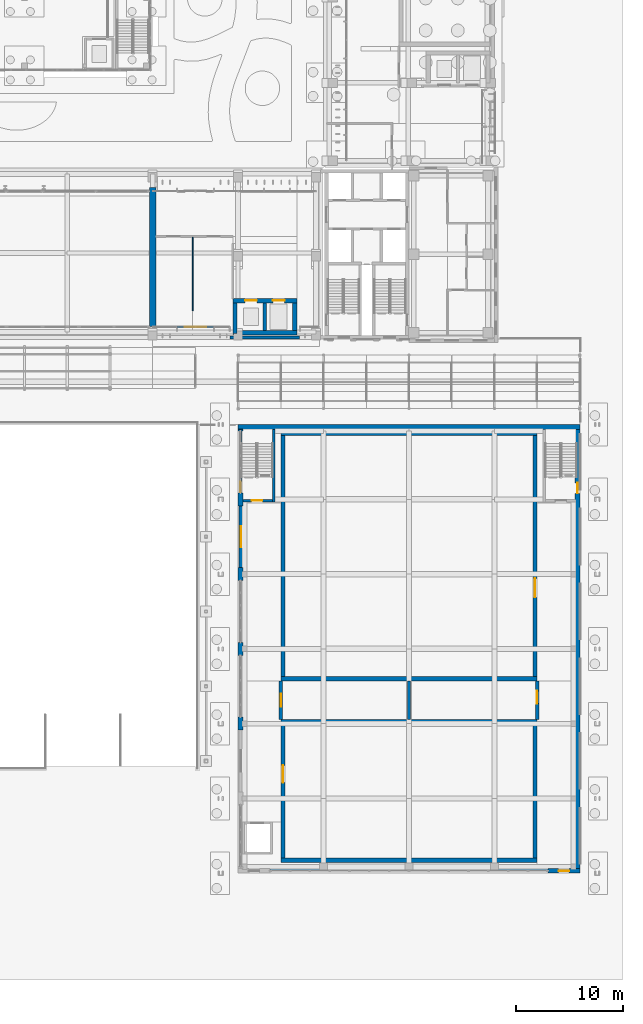
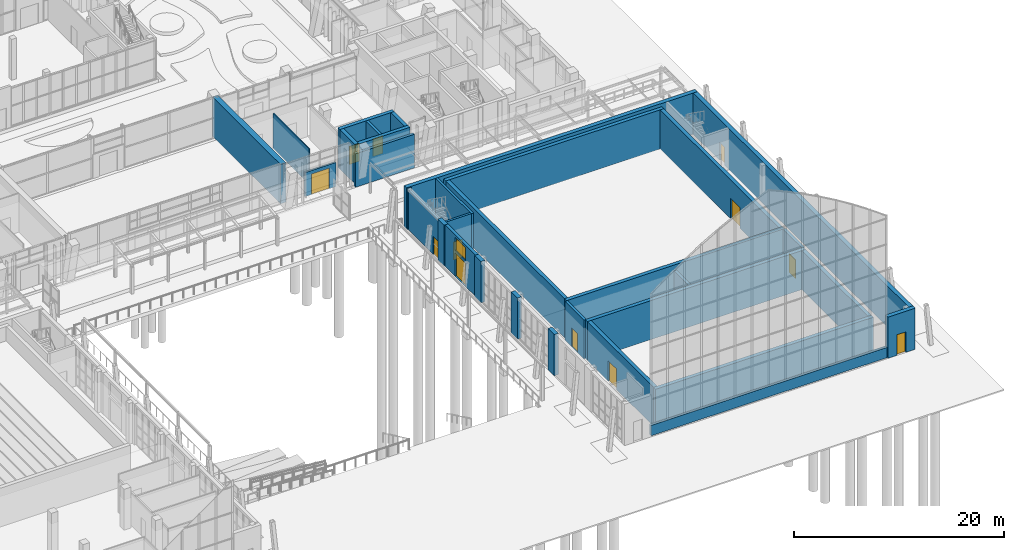
# One storey, part 105 of 144: 33 walls, 12 doors, 1 window, 13 openings.
"""IFC4 building model written with IfcOpenShell, lengths in metres."""

from ifc_helpers import new_model, si_unit, direction, frame, frame_2d, origin, place, context, subcontext, project, spatial, rectangle, extrude, material, layer, layer_set, type_object, element, fill, save


model = new_model("IFC4")

# Units and contexts
model_context = context("Model", 3, precision=1e-05, world=origin(), true_north=direction((0.0, 1.0)))
body_context = subcontext(model_context, "Body", "Model", "MODEL_VIEW")
ifc_project = project(units=[si_unit("LENGTHUNIT", "METRE"), si_unit("AREAUNIT", "SQUARE_METRE"), si_unit("VOLUMEUNIT", "CUBIC_METRE"), si_unit("PLANEANGLEUNIT", "RADIAN"), si_unit("MASSUNIT", "GRAM", prefix="KILO")], contexts=[model_context])

# Site, building, storey
site_placement = place(None, origin())
site = spatial("IfcSite", under=ifc_project, at=site_placement, CompositionType="ELEMENT")
building_placement = place(site_placement, origin())
building = spatial("IfcBuilding", under=site, at=building_placement, Name="Lantern Court Media Centre", CompositionType="ELEMENT")
storey_placement = place(building_placement, origin())
storey = spatial("IfcBuildingStorey", under=building, at=storey_placement, Name="L00", CompositionType="ELEMENT", Elevation=0.0)

# Wall, opening, door
ifc_material_1 = material(Name="Insulated rendered blockwork", Category="masonry")
ifc_layer_1 = layer(ifc_material_1, 0.199951171875)
ifc_layer_set_1 = layer_set([ifc_layer_1], Name="Insulated rendered blockwork")
wall_type_1 = type_object("IfcWallType", Name="Entrance bay infill wall 200", PredefinedType="SOLIDWALL", material=ifc_layer_set_1)
wall_1_placement = place(storey_placement, frame((66.300048828125, 49.14990234375, 0.0), z_axis=(0.0, 0.0, 1.0), x_axis=(1.0, 0.0, 0.0)))
wall_1 = element("IfcWall", 1, at=wall_1_placement, inside=storey, type_object=wall_type_1, Name="Entrance bay wall S outer L00", PredefinedType="SOLIDWALL", context=body_context, shape_type="SweptSolid", body=[
    extrude(rectangle(XDim=3.39990234375, YDim=0.199951171875, at=frame_2d((1.699951171875, 0.0))), origin(), (0.0, 0.0, 1.0), 2.800048828125),
])
opening_1_placement = place(wall_1_placement, frame((0.699951171875, 0.0, 0.0)))
opening_1 = element("IfcOpeningElement", 2, at=opening_1_placement, cuts=wall_1, Name="Opening XD02", PredefinedType="OPENING", context=body_context, shape_type="SweptSolid", body=[
    extrude(rectangle(XDim=2.0, YDim=2.39990234375, at=frame_2d((1.0, 1.199951171875))), frame((0.0, 0.10986328125, 0.0), z_axis=(0.0, -1.0, 0.0), x_axis=(1.0, 0.0, 0.0)), (0.0, 0.0, 1.0), 0.219970703125),
])
ifc_material_2 = material(Name="Anodised aluminium and glass", Category="aluminium")
door_type_1 = type_object("IfcDoorType", Name="Entrance double door 2000x2400", OperationType="DOUBLE_DOOR_SINGLE_SWING", PredefinedType="DOOR", material=ifc_material_2)
door_1_placement = place(opening_1_placement, origin())
door_1 = element("IfcDoor", 3, at=door_1_placement, inside=storey, type_object=door_type_1, Name="Entrance door XD02", OperationType="SINGLE_SWING_LEFT", OverallHeight=2.39990234375, OverallWidth=2.0, PredefinedType="DOOR", context=body_context, shape_type="SweptSolid", body=[
    extrude(rectangle(XDim=2.0, YDim=2.39990234375, at=frame_2d((1.0, 1.199951171875))), frame((0.0, 0.02490234375, 0.0), z_axis=(0.0, -1.0, 0.0), x_axis=(1.0, 0.0, 0.0)), (0.0, 0.0, 1.0), 0.050048828125),
])
fill(opening_1, door_1)

# Wall, openings, door, window
ifc_material_3 = material(Name="Limestone masonry, insulated", Category="masonry")
ifc_layer_2 = layer(ifc_material_3, 0.35009765625)
ifc_layer_set_2 = layer_set([ifc_layer_2], Name="Limestone masonry, insulated")
wall_type_2 = type_object("IfcWallType", Name="Hall entrance portal wall, stone-faced masonry 350", PredefinedType="SOLIDWALL", material=ifc_layer_set_2)
wall_2_placement = place(storey_placement, frame((72.27490234375, 26.60009765625, 0.0), z_axis=(0.0, 0.0, 1.0), x_axis=(0.0, 1.0, 0.0)))
wall_2 = element("IfcWall", 4, at=wall_2_placement, inside=storey, type_object=wall_type_2, Name="Studio Hall entrance bay 5", PredefinedType="SOLIDWALL", context=body_context, shape_type="SweptSolid", body=[
    extrude(rectangle(XDim=5.7998046875, YDim=0.35009765625, at=frame_2d((2.89990234375, 0.0))), origin(), (0.0, 0.0, 1.0), 4.800048828125),
])
opening_2_placement = place(wall_2_placement, frame((1.89990234375, 0.0, 0.0)))
opening_2 = element("IfcOpeningElement", 5, at=opening_2_placement, cuts=wall_2, Name="Opening D-V202", PredefinedType="OPENING", context=body_context, shape_type="SweptSolid", body=[
    extrude(rectangle(XDim=2.0, YDim=2.699951171875, at=frame_2d((1.0, 1.35009765625))), frame((0.0, 0.18505859375, 0.0), z_axis=(0.0, -1.0, 0.0), x_axis=(1.0, 0.0, 0.0)), (0.0, 0.0, 1.0), 0.3701171875),
])
opening_3_placement = place(wall_2_placement, frame((1.89990234375, 0.0, 3.0)))
opening_3 = element("IfcOpeningElement", 6, at=opening_3_placement, cuts=wall_2, Name="Opening HWN4", PredefinedType="OPENING", context=body_context, shape_type="SweptSolid", body=[
    extrude(rectangle(XDim=2.0, YDim=1.5, at=frame_2d((1.0, 0.75))), frame((0.0, 0.18505859375, 0.0), z_axis=(0.0, -1.0, 0.0), x_axis=(1.0, 0.0, 0.0)), (0.0, 0.0, 1.0), 0.3701171875),
])
ifc_material_4 = material(Name="Aluminium and laminated glass", Category="aluminium")
door_type_2 = type_object("IfcDoorType", Name="Studio hall entrance door, double leaf", OperationType="DOUBLE_DOOR_DOUBLE_SWING", PredefinedType="DOOR", material=ifc_material_4)
door_2_placement = place(opening_2_placement, origin())
door_2 = element("IfcDoor", 7, at=door_2_placement, inside=storey, type_object=door_type_2, Name="Studio Hall entrance 2", OperationType="SINGLE_SWING_LEFT", OverallHeight=2.699951171875, OverallWidth=2.0, PredefinedType="DOOR", context=body_context, shape_type="SweptSolid", body=[
    extrude(rectangle(XDim=2.0, YDim=2.699951171875, at=frame_2d((1.0, 1.35009765625))), frame((0.0, 0.02490234375, 0.0), z_axis=(0.0, -1.0, 0.0), x_axis=(1.0, 0.0, 0.0)), (0.0, 0.0, 1.0), 0.050048828125),
])
fill(opening_2, door_2)
ifc_material_5 = material(Name="Aluminium and acoustic laminated glass", Category="aluminium")
window_type = type_object("IfcWindowType", Name="Studio hall entrance fanlight 2000 x 1500", PartitioningType="SINGLE_PANEL", PredefinedType="WINDOW", material=ifc_material_5)
window_placement = place(opening_3_placement, origin())
window = element("IfcWindow", 8, at=window_placement, inside=storey, type_object=window_type, Name="Studio Hall entrance fanlight 5", OverallHeight=1.5, OverallWidth=2.0, PartitioningType="SINGLE_PANEL", PredefinedType="WINDOW", context=body_context, shape_type="SweptSolid", body=[
    extrude(rectangle(XDim=2.0, YDim=1.5, at=frame_2d((1.0, 0.75))), frame((0.0, 0.030029296875, 0.0), z_axis=(0.0, -1.0, 0.0), x_axis=(1.0, 0.0, 0.0)), (0.0, 0.0, 1.0), 0.06005859375),
])
fill(opening_3, window)

# Walls
ifc_layer_3 = layer(ifc_material_3, 0.300048828125)
ifc_layer_set_3 = layer_set([ifc_layer_3], Name="Limestone masonry, insulated")
wall_type_3 = type_object("IfcWallType", Name="Hall lancet plinth wall, stone-faced masonry 300", PredefinedType="SOLIDWALL", material=ifc_layer_set_3)
wall_3_placement = place(storey_placement, frame((75.0, -1.699951171875, 0.0), z_axis=(0.0, 0.0, 1.0), x_axis=(1.0, 0.0, 0.0)))
element("IfcWall", 9, at=wall_3_placement, inside=storey, type_object=wall_type_3, Name="Studio Hall lancet window plinth", PredefinedType="SOLIDWALL", context=body_context, shape_type="SweptSolid", body=[
    extrude(rectangle(XDim=26.0, YDim=0.300048828125, at=frame_2d((13.0, 0.0))), origin(), (0.0, 0.0, 1.0), 1.199951171875),
])
ifc_layer_4 = layer(ifc_material_3, 0.449951171875)
ifc_layer_set_4 = layer_set([ifc_layer_4], Name="Limestone masonry, insulated")
wall_type_4 = type_object("IfcWallType", Name="Hall wall, stone-faced masonry 450", PredefinedType="SOLIDWALL", material=ifc_layer_set_4)
for number, where, z_axis, x_axis, name in (
    (10, (72.22509765625, 11.39990234375, 0.0), (0.0, 0.0, 1.0), (0.0, 1.0, 0.0), "Studio Hall forecourt pier 3"),
    (11, (72.22509765625, 18.39990234375, 0.0), (0.0, 0.0, 1.0), (0.0, 1.0, 0.0), "Studio Hall forecourt pier 4"),
    (12, (72.22509765625, 25.39990234375, 0.0), (0.0, 0.0, 1.0), (0.0, 1.0, 0.0), "Studio Hall forecourt pier 5"),
    (13, (72.22509765625, 32.39990234375, 0.0), (0.0, 0.0, 1.0), (0.0, 1.0, 0.0), "Studio Hall forecourt pier 6"),
):
    element("IfcWall", number, at=place(storey_placement, frame(where, z_axis=z_axis, x_axis=x_axis)), inside=storey, type_object=wall_type_4, Name=name, PredefinedType="SOLIDWALL", context=body_context, shape_type="SweptSolid", body=[
        extrude(rectangle(XDim=1.2001953125, YDim=0.449951171875, at=frame_2d((0.60009765625, 0.0))), origin(), (0.0, 0.0, 1.0), 4.800048828125),
    ])
wall_4_placement = place(storey_placement, frame((72.22509765625, 39.39990234375, 0.0), z_axis=(0.0, 0.0, 1.0), x_axis=(0.0, 1.0, 0.0)))
element("IfcWall", 14, at=wall_4_placement, inside=storey, type_object=wall_type_4, Name="Studio Hall forecourt pier 7", PredefinedType="SOLIDWALL", context=body_context, shape_type="SweptSolid", body=[
    extrude(rectangle(XDim=0.150146484375, YDim=0.449951171875, at=frame_2d((0.0751953125, 0.0))), origin(), (0.0, 0.0, 1.0), 4.800048828125),
])

# Wall, opening, door
wall_5_placement = place(storey_placement, frame((103.77490234375, -1.550048828125, 0.0), z_axis=(0.0, 0.0, 1.0), x_axis=(0.0, 1.0, 0.0)))
wall_5 = element("IfcWall", 15, at=wall_5_placement, inside=storey, type_object=wall_type_4, Name="Studio Hall street wall L00", PredefinedType="SOLIDWALL", context=body_context, shape_type="SweptSolid", body=[
    extrude(rectangle(XDim=41.10009765625, YDim=0.449951171875, at=frame_2d((20.550048828125, 0.0))), origin(), (0.0, 0.0, 1.0), 4.800048828125),
])
opening_4_placement = place(wall_5_placement, frame((35.10009765625, 0.0, 0.0)))
opening_4 = element("IfcOpeningElement", 16, at=opening_4_placement, cuts=wall_5, Name="Opening V2-ST-E-L00-02E", PredefinedType="OPENING", context=body_context, shape_type="SweptSolid", body=[
    extrude(rectangle(XDim=1.0, YDim=2.10009765625, at=frame_2d((0.5, 1.050048828125))), frame((0.0, 0.23486328125, 0.0), z_axis=(0.0, -1.0, 0.0), x_axis=(1.0, 0.0, 0.0)), (0.0, 0.0, 1.0), 0.469970703125),
])
ifc_material_6 = material(Name="Steel door leaf", Category="steel")
door_type_3 = type_object("IfcDoorType", Name="Stair exit door 1000x2100", OperationType="NOTDEFINED", PredefinedType="DOOR", material=ifc_material_6)
door_3_placement = place(opening_4_placement, frame((1.0, 0.0, 0.0), z_axis=(0.0, 0.0, 1.0), x_axis=(-1.0, 0.0, 0.0)))
door_3 = element("IfcDoor", 17, at=door_3_placement, inside=storey, type_object=door_type_3, Name="L00 V2-ST-E stair exit door", OperationType="SINGLE_SWING_RIGHT", OverallHeight=2.10009765625, OverallWidth=1.0, PredefinedType="DOOR", context=body_context, shape_type="SweptSolid", body=[
    extrude(rectangle(XDim=1.0, YDim=2.10009765625, at=frame_2d((0.5, 1.050048828125))), frame((0.0, 0.02490234375, 0.0), z_axis=(0.0, -1.0, 0.0), x_axis=(1.0, 0.0, 0.0)), (0.0, 0.0, 1.0), 0.050048828125),
])
fill(opening_4, door_3)

wall_6_placement = place(storey_placement, frame((101.0, -1.77490234375, 0.0), z_axis=(0.0, 0.0, 1.0), x_axis=(1.0, 0.0, 0.0)))
wall_6 = element("IfcWall", 18, at=wall_6_placement, inside=storey, type_object=wall_type_4, Name="Studio Hall south gable L00", PredefinedType="SOLIDWALL", context=body_context, shape_type="SweptSolid", body=[
    extrude(rectangle(XDim=3.0, YDim=0.449951171875, at=frame_2d((1.5, 0.0))), origin(), (0.0, 0.0, 1.0), 4.800048828125),
])
opening_5_placement = place(wall_6_placement, frame((1.0, 0.0, 0.0)))
opening_5 = element("IfcOpeningElement", 19, at=opening_5_placement, cuts=wall_6, Name="Opening D-V222", PredefinedType="OPENING", context=body_context, shape_type="SweptSolid", body=[
    extrude(rectangle(XDim=1.0, YDim=2.39990234375, at=frame_2d((0.5, 1.199951171875))), frame((0.0, 0.23486328125, 0.0), z_axis=(0.0, -1.0, 0.0), x_axis=(1.0, 0.0, 0.0)), (0.0, 0.0, 1.0), 0.469970703125),
])
ifc_material_7 = material(Name="Steel, powder-coated", Category="steel")
door_type_4 = type_object("IfcDoorType", Name="Studio hall gable exit door, steel single leaf", OperationType="SINGLE_SWING_LEFT", PredefinedType="DOOR", material=ifc_material_7)
door_4_placement = place(opening_5_placement, origin())
door_4 = element("IfcDoor", 20, at=door_4_placement, inside=storey, type_object=door_type_4, Name="Studio Hall exit 2", OperationType="SINGLE_SWING_LEFT", OverallHeight=2.39990234375, OverallWidth=1.0, PredefinedType="DOOR", context=body_context, shape_type="SweptSolid", body=[
    extrude(rectangle(XDim=1.0, YDim=2.39990234375, at=frame_2d((0.5, 1.199951171875))), frame((0.0, 0.02490234375, 0.0), z_axis=(0.0, -1.0, 0.0), x_axis=(1.0, 0.0, 0.0)), (0.0, 0.0, 1.0), 0.050048828125),
])
fill(opening_5, door_4)

# Walls
wall_7_placement = place(storey_placement, frame((72.0, 39.77490234375, 0.0), z_axis=(0.0, 0.0, 1.0), x_axis=(1.0, 0.0, 0.0)))
element("IfcWall", 21, at=wall_7_placement, inside=storey, type_object=wall_type_4, Name="Studio Hall north gable L00", PredefinedType="SOLIDWALL", context=body_context, shape_type="SweptSolid", body=[
    extrude(rectangle(XDim=32.0, YDim=0.449951171875, at=frame_2d((16.0, 0.0))), origin(), (0.0, 0.0, 1.0), 4.800048828125),
])
ifc_material_8 = material(Name="Honed limestone cladding on blockwork", Category="masonry")
ifc_layer_5 = layer(ifc_material_8, 0.300048828125)
ifc_layer_set_5 = layer_set([ifc_layer_5], Name="Honed limestone cladding on blockwork")
wall_type_5 = type_object("IfcWallType", Name="Limestone flank wall 300", PredefinedType="SOLIDWALL", material=ifc_layer_set_5)
wall_8_placement = place(storey_placement, frame((71.25, 48.14990234375, 0.0), z_axis=(0.0, 0.0, 1.0), x_axis=(1.0, 0.0, 0.0)))
element("IfcWall", 22, at=wall_8_placement, inside=storey, type_object=wall_type_5, Name="Limestone flank wall S outer L00", PredefinedType="SOLIDWALL", context=body_context, shape_type="SweptSolid", body=[
    extrude(rectangle(XDim=6.5, YDim=0.300048828125, at=frame_2d((3.25, 0.0))), origin(), (0.0, 0.0, 1.0), 3.89990234375),
])
ifc_material_9 = material(Name="Gypsum board partition")
ifc_layer_6 = layer(ifc_material_9, 0.10009765625)
ifc_layer_set_6 = layer_set([ifc_layer_6], Name="Gypsum board partition")
wall_type_6 = type_object("IfcWallType", Name="Partition 100", PredefinedType="PARTITIONING", material=ifc_layer_set_6)
wall_9_placement = place(storey_placement, frame((67.75, 50.655029296875, 0.0), z_axis=(0.0, 0.0, 1.0), x_axis=(0.0, 1.0, 0.0)))
element("IfcWall", 23, at=wall_9_placement, inside=storey, type_object=wall_type_6, Name="L00 partition 006", PredefinedType="PARTITIONING", context=body_context, shape_type="SweptSolid", body=[
    extrude(rectangle(XDim=6.882568359375, YDim=0.10009765625, at=frame_2d((3.44140625, 0.0))), origin(), (0.0, 0.0, 1.0), 4.080078125),
])
ifc_material_10 = material(Name="Concrete C40", Category="concrete")
ifc_layer_7 = layer(ifc_material_10, 0.300048828125)
ifc_layer_set_7 = layer_set([ifc_layer_7], Name="Concrete C40")
wall_type_7 = type_object("IfcWallType", Name="RC SHEAR WALL 300", PredefinedType="SHEAR", material=ifc_layer_set_7)
wall_10_placement = place(storey_placement, frame((74.5, 48.800048828125, 0.0), z_axis=(0.0, 0.0, 1.0), x_axis=(0.0, 1.0, 0.0)))
element("IfcWall", 24, at=wall_10_placement, inside=storey, type_object=wall_type_7, Name="WB-S-LC2-L00-D", PredefinedType="SHEAR", context=body_context, shape_type="SweptSolid", body=[
    extrude(rectangle(XDim=2.599853515625, YDim=0.300048828125, at=frame_2d((1.2998046875, 0.0))), origin(), (0.0, 0.0, 1.0), 4.580078125),
])
ifc_layer_8 = layer(ifc_material_10, 0.39990234375)
ifc_layer_set_8 = layer_set([ifc_layer_8], Name="Concrete C40")
wall_type_8 = type_object("IfcWallType", Name="RC SHEAR WALL 400", PredefinedType="SHEAR", material=ifc_layer_set_8)
wall_11_placement = place(storey_placement, frame((71.5, 48.60009765625, 0.0), z_axis=(0.0, 0.0, 1.0), x_axis=(1.0, 0.0, 0.0)))
element("IfcWall", 25, at=wall_11_placement, inside=storey, type_object=wall_type_8, Name="WB-S-LC2-L00-S", PredefinedType="SHEAR", context=body_context, shape_type="SweptSolid", body=[
    extrude(rectangle(XDim=6.0, YDim=0.39990234375, at=frame_2d((3.0, 0.0))), origin(), (0.0, 0.0, 1.0), 4.580078125),
])

# Wall, openings, doors
wall_12_placement = place(storey_placement, frame((71.5, 51.60009765625, 0.0), z_axis=(0.0, 0.0, 1.0), x_axis=(1.0, 0.0, 0.0)))
wall_12 = element("IfcWall", 26, at=wall_12_placement, inside=storey, type_object=wall_type_8, Name="WB-S-LC2-L00-N", PredefinedType="SHEAR", context=body_context, shape_type="SweptSolid", body=[
    extrude(rectangle(XDim=6.0, YDim=0.39990234375, at=frame_2d((3.0, 0.0))), origin(), (0.0, 0.0, 1.0), 4.580078125),
])
opening_6_placement = place(wall_12_placement, frame((1.14990234375, 0.0, 0.0)))
opening_6 = element("IfcOpeningElement", 27, at=opening_6_placement, cuts=wall_12, Name="Opening LD-S-LC2P-L00", PredefinedType="OPENING", context=body_context, shape_type="SweptSolid", body=[
    extrude(rectangle(XDim=1.10009765625, YDim=2.10009765625, at=frame_2d((0.550048828125, 1.050048828125))), frame((0.0, 0.2099609375, 0.0), z_axis=(0.0, -1.0, 0.0), x_axis=(1.0, 0.0, 0.0)), (0.0, 0.0, 1.0), 0.419921875),
])
opening_7_placement = place(wall_12_placement, frame((3.75, 0.0, 0.0)))
opening_7 = element("IfcOpeningElement", 28, at=opening_7_placement, cuts=wall_12, Name="Opening LD-S-LC2S-L00", PredefinedType="OPENING", context=body_context, shape_type="SweptSolid", body=[
    extrude(rectangle(XDim=1.10009765625, YDim=2.10009765625, at=frame_2d((0.550048828125, 1.050048828125))), frame((0.0, 0.2099609375, 0.0), z_axis=(0.0, -1.0, 0.0), x_axis=(1.0, 0.0, 0.0)), (0.0, 0.0, 1.0), 0.419921875),
])
door_type_5 = type_object("IfcDoorType", Name="Lift landing door 1100x2100", OperationType="DOUBLE_DOOR_SLIDING", PredefinedType="DOOR", material=ifc_material_6)
door_5_placement = place(opening_6_placement, origin())
door_5 = element("IfcDoor", 29, at=door_5_placement, inside=storey, type_object=door_type_5, Name="L00 S-LC2 passenger lift landing door", OperationType="DOUBLE_DOOR_SLIDING", OverallHeight=2.10009765625, OverallWidth=1.10009765625, PredefinedType="DOOR", context=body_context, shape_type="SweptSolid", body=[
    extrude(rectangle(XDim=1.10009765625, YDim=2.10009765625, at=frame_2d((0.550048828125, 1.050048828125))), frame((0.0, 0.02490234375, 0.0), z_axis=(0.0, -1.0, 0.0), x_axis=(1.0, 0.0, 0.0)), (0.0, 0.0, 1.0), 0.050048828125),
])
fill(opening_6, door_5)
door_6_placement = place(opening_7_placement, origin())
door_6 = element("IfcDoor", 30, at=door_6_placement, inside=storey, type_object=door_type_5, Name="L00 S-LC2 service lift landing door", OperationType="DOUBLE_DOOR_SLIDING", OverallHeight=2.10009765625, OverallWidth=1.10009765625, PredefinedType="DOOR", context=body_context, shape_type="SweptSolid", body=[
    extrude(rectangle(XDim=1.10009765625, YDim=2.10009765625, at=frame_2d((0.550048828125, 1.050048828125))), frame((0.0, 0.02490234375, 0.0), z_axis=(0.0, -1.0, 0.0), x_axis=(1.0, 0.0, 0.0)), (0.0, 0.0, 1.0), 0.050048828125),
])
fill(opening_7, door_6)

# Walls
wall_13_placement = place(storey_placement, frame((71.699951171875, 48.5478515625, 0.0), z_axis=(0.0, 0.0, 1.0), x_axis=(0.0, 1.0, 0.0)))
element("IfcWall", 31, at=wall_13_placement, inside=storey, type_object=wall_type_8, Name="WB-S-LC2-L00-W", PredefinedType="SHEAR", context=body_context, shape_type="SweptSolid", body=[
    extrude(rectangle(XDim=2.85205078125, YDim=0.39990234375, at=frame_2d((1.426025390625, 0.0))), origin(), (0.0, 0.0, 1.0), 4.580078125),
])
wall_14_placement = place(storey_placement, frame((77.300048828125, 48.800048828125, 0.0), z_axis=(0.0, 0.0, 1.0), x_axis=(0.0, 1.0, 0.0)))
element("IfcWall", 32, at=wall_14_placement, inside=storey, type_object=wall_type_8, Name="WB-S-LC2-L00-E", PredefinedType="SHEAR", context=body_context, shape_type="SweptSolid", body=[
    extrude(rectangle(XDim=2.599853515625, YDim=0.39990234375, at=frame_2d((1.2998046875, 0.0))), origin(), (0.0, 0.0, 1.0), 4.580078125),
])
for number, where, z_axis, x_axis, name in (
    (33, (76.0, 16.199951171875, 0.0), (0.0, 0.0, 1.0), (1.0, 0.0, 0.0), "WB-V2-STA-L00-S"),
    (34, (76.0, 39.199951171875, 0.0), (0.0, 0.0, 1.0), (1.0, 0.0, 0.0), "WB-V2-STA-L00-N"),
):
    element("IfcWall", number, at=place(storey_placement, frame(where, z_axis=z_axis, x_axis=x_axis)), inside=storey, type_object=wall_type_8, Name=name, PredefinedType="SHEAR", context=body_context, shape_type="SweptSolid", body=[
        extrude(rectangle(XDim=24.0, YDim=0.39990234375, at=frame_2d((12.0, 0.0))), origin(), (0.0, 0.0, 1.0), 4.550048828125),
    ])
wall_15_placement = place(storey_placement, frame((76.199951171875, 16.39990234375, 0.0), z_axis=(0.0, 0.0, 1.0), x_axis=(0.0, 1.0, 0.0)))
element("IfcWall", 35, at=wall_15_placement, inside=storey, type_object=wall_type_8, Name="WB-V2-STA-L00-W", PredefinedType="SHEAR", context=body_context, shape_type="SweptSolid", body=[
    extrude(rectangle(XDim=22.60009765625, YDim=0.39990234375, at=frame_2d((11.300048828125, 0.0))), origin(), (0.0, 0.0, 1.0), 4.550048828125),
])

# Wall, opening, door
wall_16_placement = place(storey_placement, frame((99.800048828125, 16.39990234375, 0.0), z_axis=(0.0, 0.0, 1.0), x_axis=(0.0, 1.0, 0.0)))
wall_16 = element("IfcWall", 36, at=wall_16_placement, inside=storey, type_object=wall_type_8, Name="WB-V2-STA-L00-E", PredefinedType="SHEAR", context=body_context, shape_type="SweptSolid", body=[
    extrude(rectangle(XDim=22.60009765625, YDim=0.39990234375, at=frame_2d((11.300048828125, 0.0))), origin(), (0.0, 0.0, 1.0), 4.550048828125),
])
opening_8_placement = place(wall_16_placement, frame((7.413330078125, 0.0, 0.0)))
opening_8 = element("IfcOpeningElement", 37, at=opening_8_placement, cuts=wall_16, Name="Opening L00-040", PredefinedType="OPENING", context=body_context, shape_type="SweptSolid", body=[
    extrude(rectangle(XDim=1.800048828125, YDim=2.39990234375, at=frame_2d((0.89990234375, 1.199951171875))), frame((0.0, 0.2099609375, 0.0), z_axis=(0.0, -1.0, 0.0), x_axis=(1.0, 0.0, 0.0)), (0.0, 0.0, 1.0), 0.419921875),
])
ifc_material_11 = material(Name="Acoustic timber door leaf", Category="wood")
door_type_6 = type_object("IfcDoorType", Name="Main studio sound-lock door pair 1800x2400", OperationType="NOTDEFINED", PredefinedType="DOOR", material=ifc_material_11)
door_7_placement = place(opening_8_placement, frame((1.800048828125, 0.0, 0.0), z_axis=(0.0, 0.0, 1.0), x_axis=(-1.0, 0.0, 0.0)))
door_7 = element("IfcDoor", 38, at=door_7_placement, inside=storey, type_object=door_type_6, Name="L00 Broadcast Studio A door", OperationType="DOUBLE_DOOR_SINGLE_SWING", OverallHeight=2.39990234375, OverallWidth=1.800048828125, PredefinedType="DOOR", context=body_context, shape_type="SweptSolid", body=[
    extrude(rectangle(XDim=1.800048828125, YDim=2.39990234375, at=frame_2d((0.89990234375, 1.199951171875))), frame((0.0, 0.02490234375, 0.0), z_axis=(0.0, -1.0, 0.0), x_axis=(1.0, 0.0, 0.0)), (0.0, 0.0, 1.0), 0.050048828125),
])
fill(opening_8, door_7)

# Walls
for number, where, z_axis, x_axis, name in (
    (39, (76.0, -0.800048828125, 0.0), (0.0, 0.0, 1.0), (1.0, 0.0, 0.0), "WB-V2-STB-L00-S"),
    (40, (76.0, 12.199951171875, 0.0), (0.0, 0.0, 1.0), (1.0, 0.0, 0.0), "WB-V2-STB-L00-N"),
):
    element("IfcWall", number, at=place(storey_placement, frame(where, z_axis=z_axis, x_axis=x_axis)), inside=storey, type_object=wall_type_8, Name=name, PredefinedType="SHEAR", context=body_context, shape_type="SweptSolid", body=[
        extrude(rectangle(XDim=24.0, YDim=0.39990234375, at=frame_2d((12.0, 0.0))), origin(), (0.0, 0.0, 1.0), 4.550048828125),
    ])

# Wall, opening, door
wall_17_placement = place(storey_placement, frame((76.199951171875, -0.60009765625, 0.0), z_axis=(0.0, 0.0, 1.0), x_axis=(0.0, 1.0, 0.0)))
wall_17 = element("IfcWall", 41, at=wall_17_placement, inside=storey, type_object=wall_type_8, Name="WB-V2-STB-L00-W", PredefinedType="SHEAR", context=body_context, shape_type="SweptSolid", body=[
    extrude(rectangle(XDim=12.60009765625, YDim=0.39990234375, at=frame_2d((6.300048828125, 0.0))), origin(), (0.0, 0.0, 1.0), 4.550048828125),
])
opening_9_placement = place(wall_17_placement, frame((7.086669921875, 0.0, 0.0)))
opening_9 = element("IfcOpeningElement", 42, at=opening_9_placement, cuts=wall_17, Name="Opening L00-041", PredefinedType="OPENING", context=body_context, shape_type="SweptSolid", body=[
    extrude(rectangle(XDim=1.60009765625, YDim=2.39990234375, at=frame_2d((0.800048828125, 1.199951171875))), frame((0.0, 0.2099609375, 0.0), z_axis=(0.0, -1.0, 0.0), x_axis=(1.0, 0.0, 0.0)), (0.0, 0.0, 1.0), 0.419921875),
])
door_type_7 = type_object("IfcDoorType", Name="Large studio sound-lock door pair 1600x2400", OperationType="NOTDEFINED", PredefinedType="DOOR", material=ifc_material_11)
door_8_placement = place(opening_9_placement, origin())
door_8 = element("IfcDoor", 43, at=door_8_placement, inside=storey, type_object=door_type_7, Name="L00 Broadcast Studio B door", OperationType="DOUBLE_DOOR_SINGLE_SWING", OverallHeight=2.39990234375, OverallWidth=1.60009765625, PredefinedType="DOOR", context=body_context, shape_type="SweptSolid", body=[
    extrude(rectangle(XDim=1.60009765625, YDim=2.39990234375, at=frame_2d((0.800048828125, 1.199951171875))), frame((0.0, 0.02490234375, 0.0), z_axis=(0.0, -1.0, 0.0), x_axis=(1.0, 0.0, 0.0)), (0.0, 0.0, 1.0), 0.050048828125),
])
fill(opening_9, door_8)

# Walls
wall_18_placement = place(storey_placement, frame((99.800048828125, -0.60009765625, 0.0), z_axis=(0.0, 0.0, 1.0), x_axis=(0.0, 1.0, 0.0)))
element("IfcWall", 44, at=wall_18_placement, inside=storey, type_object=wall_type_8, Name="WB-V2-STB-L00-E", PredefinedType="SHEAR", context=body_context, shape_type="SweptSolid", body=[
    extrude(rectangle(XDim=12.60009765625, YDim=0.39990234375, at=frame_2d((6.300048828125, 0.0))), origin(), (0.0, 0.0, 1.0), 4.550048828125),
])
ifc_layer_9 = layer(ifc_material_10, 0.60009765625)
ifc_layer_set_9 = layer_set([ifc_layer_9], Name="Concrete C40")
wall_type_9 = type_object("IfcWallType", Name="RC SHEAR WALL 600", PredefinedType="SHEAR", material=ifc_layer_set_9)
wall_19_placement = place(storey_placement, frame((64.0, 49.199951171875, 0.0), z_axis=(0.0, 0.0, 1.0), x_axis=(0.0, 1.0, 0.0)))
element("IfcWall", 45, at=wall_19_placement, inside=storey, type_object=wall_type_9, Name="WF-S-64-L00-W", PredefinedType="SHEAR", context=body_context, shape_type="SweptSolid", body=[
    extrude(rectangle(XDim=13.0, YDim=0.60009765625, at=frame_2d((6.5, 0.0))), origin(), (0.0, 0.0, 1.0), 4.580078125),
])

# Wall, opening, door
ifc_layer_10 = layer(ifc_material_10, 0.25)
ifc_layer_set_10 = layer_set([ifc_layer_10], Name="Concrete C40")
wall_type_10 = type_object("IfcWallType", Name="RC stair shaft wall 250", PredefinedType="SOLIDWALL", material=ifc_layer_set_10)
wall_20_placement = place(storey_placement, frame((72.22509765625, 33.60009765625, 0.0), z_axis=(0.0, 0.0, 1.0), x_axis=(0.0, 1.0, 0.0)))
wall_20 = element("IfcWall", 46, at=wall_20_placement, inside=storey, type_object=wall_type_10, Name="L00 V2-ST-W shaft wall W", PredefinedType="SOLIDWALL", context=body_context, shape_type="SweptSolid", body=[
    extrude(rectangle(XDim=5.7998046875, YDim=0.25, at=frame_2d((2.89990234375, 0.0))), origin(), (0.0, 0.0, 1.0), 4.530029296875),
])
opening_10_placement = place(wall_20_placement, frame((0.050048828125, 0.0, 0.0)))
opening_10 = element("IfcOpeningElement", 47, at=opening_10_placement, cuts=wall_20, Name="Opening V2-ST-W-L00-02W", PredefinedType="OPENING", context=body_context, shape_type="SweptSolid", body=[
    extrude(rectangle(XDim=1.0, YDim=2.10009765625, at=frame_2d((0.5, 1.050048828125))), frame((0.0, 0.135009765625, 0.0), z_axis=(0.0, -1.0, 0.0), x_axis=(1.0, 0.0, 0.0)), (0.0, 0.0, 1.0), 0.27001953125),
])
door_9_placement = place(opening_10_placement, origin())
door_9 = element("IfcDoor", 48, at=door_9_placement, inside=storey, type_object=door_type_3, Name="L00 V2-ST-W stair exit door", OperationType="SINGLE_SWING_RIGHT", OverallHeight=2.10009765625, OverallWidth=1.0, PredefinedType="DOOR", context=body_context, shape_type="SweptSolid", body=[
    extrude(rectangle(XDim=1.0, YDim=2.10009765625, at=frame_2d((0.5, 1.050048828125))), frame((0.0, 0.02490234375, 0.0), z_axis=(0.0, -1.0, 0.0), x_axis=(1.0, 0.0, 0.0)), (0.0, 0.0, 1.0), 0.050048828125),
])
fill(opening_10, door_9)

# Wall
wall_21_placement = place(storey_placement, frame((75.324951171875, 32.75, 0.0), z_axis=(0.0, 0.0, 1.0), x_axis=(0.0, 1.0, 0.0)))
element("IfcWall", 49, at=wall_21_placement, inside=storey, type_object=wall_type_10, Name="L00 V2-ST-W shaft wall E", PredefinedType="SOLIDWALL", context=body_context, shape_type="SweptSolid", body=[
    extrude(rectangle(XDim=6.800048828125, YDim=0.25, at=frame_2d((3.39990234375, 0.0))), origin(), (0.0, 0.0, 1.0), 4.800048828125),
])

# Wall, opening, door
wall_22_placement = place(storey_placement, frame((72.35009765625, 32.875, 0.0), z_axis=(0.0, 0.0, 1.0), x_axis=(1.0, 0.0, 0.0)))
wall_22 = element("IfcWall", 50, at=wall_22_placement, inside=storey, type_object=wall_type_10, Name="L00 V2-ST-W shaft wall S", PredefinedType="SOLIDWALL", context=body_context, shape_type="SweptSolid", body=[
    extrude(rectangle(XDim=2.849853515625, YDim=0.25, at=frame_2d((1.4248046875, 0.0))), origin(), (0.0, 0.0, 1.0), 4.800048828125),
])
opening_11_placement = place(wall_22_placement, frame((0.925048828125, 0.0, 0.0)))
opening_11 = element("IfcOpeningElement", 51, at=opening_11_placement, cuts=wall_22, Name="Opening V2-ST-W-L00-01", PredefinedType="OPENING", context=body_context, shape_type="SweptSolid", body=[
    extrude(rectangle(XDim=1.0, YDim=2.10009765625, at=frame_2d((0.5, 1.050048828125))), frame((0.0, 0.135009765625, 0.0), z_axis=(0.0, -1.0, 0.0), x_axis=(1.0, 0.0, 0.0)), (0.0, 0.0, 1.0), 0.27001953125),
])
door_type_8 = type_object("IfcDoorType", Name="Stair door 1000x2100", OperationType="NOTDEFINED", PredefinedType="DOOR", material=ifc_material_6)
door_10_placement = place(opening_11_placement, frame((1.0, 0.0, 0.0), z_axis=(0.0, 0.0, 1.0), x_axis=(-1.0, 0.0, 0.0)))
door_10 = element("IfcDoor", 52, at=door_10_placement, inside=storey, type_object=door_type_8, Name="L00 V2-ST-W stair door", OperationType="SINGLE_SWING_RIGHT", OverallHeight=2.10009765625, OverallWidth=1.0, PredefinedType="DOOR", context=body_context, shape_type="SweptSolid", body=[
    extrude(rectangle(XDim=1.0, YDim=2.10009765625, at=frame_2d((0.5, 1.050048828125))), frame((0.0, 0.02490234375, 0.0), z_axis=(0.0, -1.0, 0.0), x_axis=(1.0, 0.0, 0.0)), (0.0, 0.0, 1.0), 0.050048828125),
])
fill(opening_11, door_10)

ifc_material_12 = material(Name="Acoustic gypsum board")
ifc_layer_11 = layer(ifc_material_12, 0.300048828125)
ifc_layer_set_11 = layer_set([ifc_layer_11], Name="Acoustic gypsum board")
wall_type_11 = type_object("IfcWallType", Name="Recording studio acoustic partition 300", PredefinedType="PARTITIONING", material=ifc_layer_set_11)
wall_23_placement = place(storey_placement, frame((76.0, 12.39990234375, 0.0), z_axis=(0.0, 0.0, 1.0), x_axis=(0.0, 1.0, 0.0)))
wall_23 = element("IfcWall", 53, at=wall_23_placement, inside=storey, type_object=wall_type_11, Name="L00 partition 063", PredefinedType="PARTITIONING", context=body_context, shape_type="SweptSolid", body=[
    extrude(rectangle(XDim=3.60009765625, YDim=0.300048828125, at=frame_2d((1.800048828125, 0.0))), origin(), (0.0, 0.0, 1.0), 4.530029296875),
])
opening_12_placement = place(wall_23_placement, frame((1.199951171875, 0.0, 0.0)))
opening_12 = element("IfcOpeningElement", 54, at=opening_12_placement, cuts=wall_23, Name="Opening L00-042", PredefinedType="OPENING", context=body_context, shape_type="SweptSolid", body=[
    extrude(rectangle(XDim=1.199951171875, YDim=2.199951171875, at=frame_2d((0.60009765625, 1.10009765625))), frame((0.0, 0.159912109375, 0.0), z_axis=(0.0, -1.0, 0.0), x_axis=(1.0, 0.0, 0.0)), (0.0, 0.0, 1.0), 0.320068359375),
])
door_type_9 = type_object("IfcDoorType", Name="Control room sound-lock door 1200x2200", OperationType="NOTDEFINED", PredefinedType="DOOR", material=ifc_material_11)
door_11_placement = place(opening_12_placement, frame((1.199951171875, 0.0, 0.0), z_axis=(0.0, 0.0, 1.0), x_axis=(-1.0, 0.0, 0.0)))
door_11 = element("IfcDoor", 55, at=door_11_placement, inside=storey, type_object=door_type_9, Name="L00 Studio Control Room 03 door", OperationType="SINGLE_SWING_LEFT", OverallHeight=2.199951171875, OverallWidth=1.199951171875, PredefinedType="DOOR", context=body_context, shape_type="SweptSolid", body=[
    extrude(rectangle(XDim=1.199951171875, YDim=2.199951171875, at=frame_2d((0.60009765625, 1.10009765625))), frame((0.0, 0.02490234375, 0.0), z_axis=(0.0, -1.0, 0.0), x_axis=(1.0, 0.0, 0.0)), (0.0, 0.0, 1.0), 0.050048828125),
])
fill(opening_12, door_11)

wall_24_placement = place(storey_placement, frame((100.0, 12.39990234375, 0.0), z_axis=(0.0, 0.0, 1.0), x_axis=(0.0, 1.0, 0.0)))
wall_24 = element("IfcWall", 56, at=wall_24_placement, inside=storey, type_object=wall_type_11, Name="L00 partition 064", PredefinedType="PARTITIONING", context=body_context, shape_type="SweptSolid", body=[
    extrude(rectangle(XDim=3.60009765625, YDim=0.300048828125, at=frame_2d((1.800048828125, 0.0))), origin(), (0.0, 0.0, 1.0), 4.530029296875),
])
opening_13_placement = place(wall_24_placement, frame((1.47509765625, 0.0, 0.0)))
opening_13 = element("IfcOpeningElement", 57, at=opening_13_placement, cuts=wall_24, Name="Opening L00-043", PredefinedType="OPENING", context=body_context, shape_type="SweptSolid", body=[
    extrude(rectangle(XDim=1.199951171875, YDim=2.199951171875, at=frame_2d((0.60009765625, 1.10009765625))), frame((0.0, 0.159912109375, 0.0), z_axis=(0.0, -1.0, 0.0), x_axis=(1.0, 0.0, 0.0)), (0.0, 0.0, 1.0), 0.320068359375),
])
door_12_placement = place(opening_13_placement, origin())
door_12 = element("IfcDoor", 58, at=door_12_placement, inside=storey, type_object=door_type_9, Name="L00 Studio Control Room 04 door", OperationType="SINGLE_SWING_RIGHT", OverallHeight=2.199951171875, OverallWidth=1.199951171875, PredefinedType="DOOR", context=body_context, shape_type="SweptSolid", body=[
    extrude(rectangle(XDim=1.199951171875, YDim=2.199951171875, at=frame_2d((0.60009765625, 1.10009765625))), frame((0.0, 0.02490234375, 0.0), z_axis=(0.0, -1.0, 0.0), x_axis=(1.0, 0.0, 0.0)), (0.0, 0.0, 1.0), 0.050048828125),
])
fill(opening_13, door_12)

# Wall
wall_25_placement = place(storey_placement, frame((88.0, 12.39990234375, 0.0), z_axis=(0.0, 0.0, 1.0), x_axis=(0.0, 1.0, 0.0)))
element("IfcWall", 59, at=wall_25_placement, inside=storey, type_object=wall_type_11, Name="L00 partition 065", PredefinedType="PARTITIONING", context=body_context, shape_type="SweptSolid", body=[
    extrude(rectangle(XDim=3.60009765625, YDim=0.300048828125, at=frame_2d((1.800048828125, 0.0))), origin(), (0.0, 0.0, 1.0), 3.8798828125),
])

save(model, "model.ifc")
